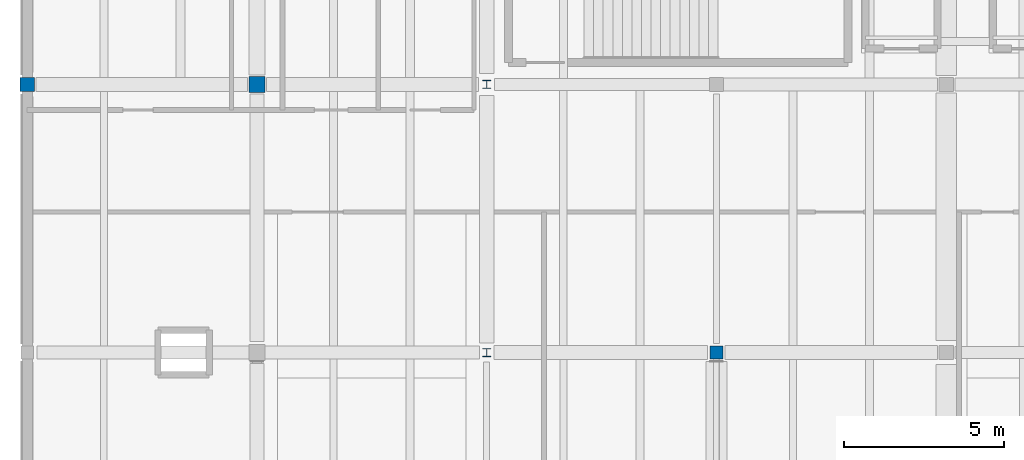
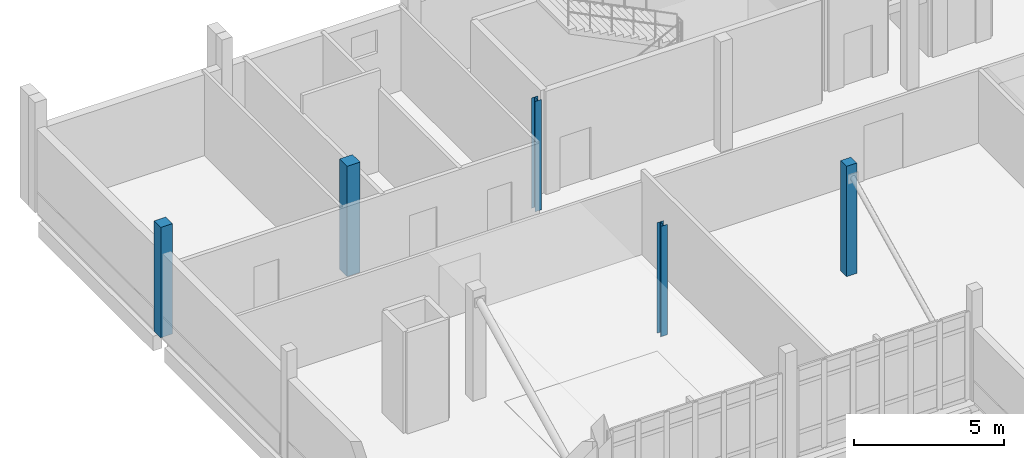
# One storey, part 2 of 34: 5 columns.
"""IFC4 building model written with IfcOpenShell, lengths in metres."""

import ifcopenshell
import ifcopenshell.guid

model = None  # the IFC model being written
_history = None  # IfcOwnerHistory: only IFC2X3 demands one
_inside = {}  # id of a spatial element -> (the spatial element, [elements in it])
_under = {}  # id of a project, library or spatial element -> (it, [spatial elements below it])
_declared = {}  # id of a project -> (the project, [libraries it declares])
_typed = {}  # id of a type object -> (the type object, [elements of that type])
_made_of = {}  # id of a material, layer set ... -> (it, [elements and type objects made of it])


def new_model(schema):
    """Start an empty IFC model of exactly this schema.

    Asked for "IFC4X3", IfcOpenShell would pick the latest addendum, in which some entities
    have other attributes; the version numbers below select the first issue.
    IFC2X3 requires an IfcOwnerHistory on every rooted entity: one is made here for all.
    """
    global model, _history
    if schema == "IFC4X3":
        model = ifcopenshell.file(schema_version=(4, 3, 0, 0))
    else:
        model = ifcopenshell.file(schema=schema)
    _inside.clear()
    _under.clear()
    _declared.clear()
    _typed.clear()
    _made_of.clear()
    _history = None
    if model.schema == "IFC2X3":
        org = make("IfcOrganization", Name="unknown")
        user = make(
            "IfcPersonAndOrganization",
            ThePerson=make("IfcPerson", FamilyName="unknown"),
            TheOrganization=org,
        )
        app = make(
            "IfcApplication",
            ApplicationDeveloper=org,
            Version="unknown",
            ApplicationFullName="unknown",
            ApplicationIdentifier="unknown",
        )
        _history = make(
            "IfcOwnerHistory",
            OwningUser=user,
            OwningApplication=app,
            ChangeAction="ADDED",
            CreationDate=0,
        )
    return model


def make(cls, **values):
    """One entity of the class cls with the attributes given. An attribute that is None is left unset."""
    return model.create_entity(
        cls, **{name: value for name, value in values.items() if value is not None}
    )


def rooted(cls, **values):
    """An entity with a GlobalId (a new one), such as an element, a storey or a relation."""
    return make(cls, GlobalId=ifcopenshell.guid.new(), OwnerHistory=_history, **values)


def si_unit(unit_type, name, prefix=None):
    """IfcSIUnit, for example si_unit("LENGTHUNIT", "METRE", prefix="MILLI")."""
    return make("IfcSIUnit", UnitType=unit_type, Prefix=prefix, Name=name)


def assignment(units):
    """IfcUnitAssignment: the units of a project."""
    return None if units is None else make("IfcUnitAssignment", Units=units)


def point(xyz):
    """IfcCartesianPoint."""
    return None if xyz is None else make("IfcCartesianPoint", Coordinates=xyz)


def direction(xyz):
    """IfcDirection."""
    return None if xyz is None else make("IfcDirection", DirectionRatios=xyz)


def frame(location, z_axis=None, x_axis=None):
    """IfcAxis2Placement3D, a coordinate frame: its origin and axes. An axis left out is left unset."""
    return make(
        "IfcAxis2Placement3D",
        Location=point(location),
        Axis=direction(z_axis),
        RefDirection=direction(x_axis),
    )


def frame_2d(location, x_axis=None):
    """IfcAxis2Placement2D, a coordinate frame in the plane: its origin and x axis."""
    return make(
        "IfcAxis2Placement2D", Location=point(location), RefDirection=direction(x_axis)
    )


def origin():
    """The frame at (0, 0, 0) with its axes left unset."""
    return frame((0.0, 0.0, 0.0))


def origin_2d():
    """The frame at (0, 0) in the plane with its x axis left unset."""
    return frame_2d((0.0, 0.0))


def place(relative_to, where):
    """IfcLocalPlacement: puts the frame where relative to a parent placement (None: the world)."""
    return make(
        "IfcLocalPlacement", PlacementRelTo=relative_to, RelativePlacement=where
    )


def context(
    kind, dimensions, precision=None, world=None, true_north=None, identifier=None
):
    """IfcGeometricRepresentationContext, for example the 3D "Model" context."""
    return make(
        "IfcGeometricRepresentationContext",
        ContextIdentifier=identifier,
        ContextType=kind,
        CoordinateSpaceDimension=dimensions,
        Precision=precision,
        WorldCoordinateSystem=world,
        TrueNorth=true_north,
    )


def subcontext(parent, identifier, kind, view, scale=None):
    """IfcGeometricRepresentationSubContext, for example "Body" below "Model"."""
    return make(
        "IfcGeometricRepresentationSubContext",
        ContextIdentifier=identifier,
        ContextType=kind,
        ParentContext=parent,
        TargetScale=scale,
        TargetView=view,
    )


def project(units=None, contexts=None):
    """IfcProject with its units and contexts."""
    return rooted(
        "IfcProject",
        Name="project",
        RepresentationContexts=contexts,
        UnitsInContext=assignment(units),
    )


def spatial(cls, under=None, at=None, **own):
    """A site, building, storey or space (cls), placed at a placement, below another one or the project."""
    s = rooted(cls, ObjectPlacement=at, **own)
    if under is not None:
        _under.setdefault(under.id(), (under, []))[1].append(s)
    return s


def profile(cls, at=None, kind="AREA", **sizes):
    """A parametric profile (cls). Its sizes go by their IFC names, for example OverallWidth=200.0."""
    return make(cls, ProfileType=kind, Position=at, **sizes)


def rectangle(**sizes):
    """IfcRectangleProfileDef."""
    return profile("IfcRectangleProfileDef", **sizes)


def i_section(**sizes):
    """IfcIShapeProfileDef."""
    return profile("IfcIShapeProfileDef", **sizes)


def extrude(swept, where, along, depth):
    """IfcExtrudedAreaSolid: the profile swept, set in the frame where, extruded along a direction by depth."""
    return make(
        "IfcExtrudedAreaSolid",
        SweptArea=swept,
        Position=where,
        ExtrudedDirection=direction(along),
        Depth=depth,
    )


def shape(context_of_items, identifier, shape_type, items):
    """IfcShapeRepresentation: the items that make up one representation, for example the "Body"."""
    return make(
        "IfcShapeRepresentation",
        ContextOfItems=context_of_items,
        RepresentationIdentifier=identifier,
        RepresentationType=shape_type,
        Items=items,
    )


def material(Name=None, Category=None):
    """IfcMaterial."""
    return make("IfcMaterial", Name=Name, Category=Category)


def material_profile(
    of_material, cross_section, Name=None, Category=None, Priority=None
):
    """IfcMaterialProfile: a cross section and its material."""
    return make(
        "IfcMaterialProfile",
        Name=Name,
        Material=of_material,
        Profile=cross_section,
        Priority=Priority,
        Category=Category,
    )


def profile_set(profiles, Name=None, composite=None):
    """IfcMaterialProfileSet."""
    return make(
        "IfcMaterialProfileSet",
        Name=Name,
        MaterialProfiles=profiles,
        CompositeProfile=composite,
    )


def made_of(thing, what):
    """Note that an element or type object is made of a material, layer set ...; save() writes the relation."""
    if what is not None:
        _made_of.setdefault(what.id(), (what, []))[1].append(thing)
    return thing


def type_object(cls, material=None, **own):
    """A type object (cls), such as IfcWallType, which elements share."""
    return made_of(rooted(cls, **own), material)


def element(
    cls,
    number,
    at=None,
    inside=None,
    cuts=None,
    type_object=None,
    material=None,
    context=None,
    identifier="Body",
    shape_type=None,
    held_by="IfcProductDefinitionShape",
    body=None,
    shapes=None,
    **own,
):
    """One element of the class cls, such as IfcWall. Its Tag is "e" and its number.

    at: its placement. inside: the storey or other place that contains it. cuts: it is an
    opening in that element (IfcRelVoidsElement). A single representation is given by context,
    identifier, shape_type and body (its items); several are given by shapes. held_by: the class
    of the entity that holds the representations. save() writes the other relations.
    """
    e = rooted(cls, Tag="e%d" % number, ObjectPlacement=at, **own)
    if body is not None:
        shapes = [shape(context, identifier, shape_type, body)]
    if shapes is not None:
        e.Representation = make(held_by, Representations=shapes)
    if inside is not None:
        _inside.setdefault(inside.id(), (inside, []))[1].append(e)
    if cuts is not None:
        rooted(
            "IfcRelVoidsElement", RelatingBuildingElement=cuts, RelatedOpeningElement=e
        )
    if type_object is not None:
        _typed.setdefault(type_object.id(), (type_object, []))[1].append(e)
    return made_of(e, material)


def aggregate(whole, parts):
    """IfcRelAggregates: a whole, such as a stair, and the parts it consists of."""
    return rooted("IfcRelAggregates", RelatingObject=whole, RelatedObjects=parts)


def save(model, path):
    """Write the relations noted so far, then the file.

    IfcRelAggregates (storeys below a building ...), IfcRelContainedInSpatialStructure (elements
    in a storey), IfcRelDefinesByType, IfcRelAssociatesMaterial and IfcRelDeclares: one each for
    every whole, place, type object, material and project.
    """
    for whole, parts in _under.values():
        aggregate(whole, parts)
    for where, things in _inside.values():
        rooted(
            "IfcRelContainedInSpatialStructure",
            RelatedElements=things,
            RelatingStructure=where,
        )
    for kind, things in _typed.values():
        rooted("IfcRelDefinesByType", RelatedObjects=things, RelatingType=kind)
    for what, things in _made_of.values():
        rooted("IfcRelAssociatesMaterial", RelatedObjects=things, RelatingMaterial=what)
    for by, libraries in _declared.values():
        rooted("IfcRelDeclares", RelatingContext=by, RelatedDefinitions=libraries)
    model.write(path)


model = new_model("IFC4")

# Units and contexts
model_context = context("Model", 3, precision=1e-05, world=origin(), true_north=direction((0.0, 1.0)))
body_context = subcontext(model_context, "Body", "Model", "MODEL_VIEW")
ifc_project = project(units=[si_unit("LENGTHUNIT", "METRE"), si_unit("AREAUNIT", "SQUARE_METRE"), si_unit("VOLUMEUNIT", "CUBIC_METRE"), si_unit("PLANEANGLEUNIT", "RADIAN"), si_unit("MASSUNIT", "GRAM", prefix="KILO")], contexts=[model_context])

# Site, building, storey
site_placement = place(None, origin())
site = spatial("IfcSite", under=ifc_project, at=site_placement, CompositionType="ELEMENT")
building_placement = place(site_placement, origin())
building = spatial("IfcBuilding", under=site, at=building_placement, Name="Kalluvel Institute of Natural Sciences", CompositionType="ELEMENT")
storey_placement = place(building_placement, frame((0.0, 0.0, 36.89990234375)))
storey = spatial("IfcBuildingStorey", under=building, at=storey_placement, Name="L08", CompositionType="ELEMENT", Elevation=36.89990234375)

# Columns
ifc_material_1 = material(Name="Steel E350 Grade 350", Category="steel")
ifc_material_profile_1 = material_profile(ifc_material_1, i_section(OverallWidth=0.25, OverallDepth=0.25, WebThickness=0.0087890625, FlangeThickness=0.009765625, FilletRadius=0.010009765625, at=origin_2d()), Name="ISHB 250")
ifc_profile_set_1 = profile_set([ifc_material_profile_1], Name="Steel E350 Grade 350")
column_type_1 = type_object("IfcColumnType", Name="COL-ISHB250", PredefinedType="COLUMN", material=ifc_profile_set_1)
for number, where, z_axis, x_axis, name in (
    (1, (28.39990234375, 111.199951171875, 0.0), (0.0, 0.0, 1.0), (1.0, 0.0, 0.0), "L08 structural column COL-L08-X284-Y1112"),
    (2, (28.39990234375, 119.60009765625, 0.0), (0.0, 0.0, 1.0), (1.0, 0.0, 0.0), "L08 structural column COL-L08-X284-Y1196"),
):
    element("IfcColumn", number, at=place(storey_placement, frame(where, z_axis=z_axis, x_axis=x_axis)), inside=storey, type_object=column_type_1, Name=name, PredefinedType="COLUMN", context=body_context, shape_type="SweptSolid", body=[
        extrude(i_section(OverallWidth=0.25, OverallDepth=0.25, WebThickness=0.0087890625, FlangeThickness=0.009765625, FilletRadius=0.010009765625, at=origin_2d()), origin(), (0.0, 0.0, 1.0), 4.5),
    ])
ifc_material_2 = material(Name="Concrete M40", Category="concrete")
ifc_material_profile_2 = material_profile(ifc_material_2, rectangle(XDim=0.39990234375, YDim=0.39990234375, at=origin_2d()), Name="RC 400x400")
ifc_profile_set_2 = profile_set([ifc_material_profile_2], Name="Concrete M40")
column_type_2 = type_object("IfcColumnType", Name="COL-RC400", PredefinedType="COLUMN", material=ifc_profile_set_2)
column_1_placement = place(storey_placement, frame((35.60009765625, 111.199951171875, 0.0), z_axis=(0.0, 0.0, 1.0), x_axis=(1.0, 0.0, 0.0)))
element("IfcColumn", 3, at=column_1_placement, inside=storey, type_object=column_type_2, Name="L08 structural column COL-L08-X356-Y1112", PredefinedType="COLUMN", context=body_context, shape_type="SweptSolid", body=[
    extrude(rectangle(XDim=0.39990234375, YDim=0.39990234375, at=origin_2d()), origin(), (0.0, 0.0, 1.0), 4.5),
])
ifc_material_profile_3 = material_profile(ifc_material_2, rectangle(XDim=0.449951171875, YDim=0.449951171875, at=origin_2d()), Name="RC 450x450")
ifc_profile_set_3 = profile_set([ifc_material_profile_3], Name="Concrete M40")
column_type_3 = type_object("IfcColumnType", Name="COL-RC450", PredefinedType="COLUMN", material=ifc_profile_set_3)
column_2_placement = place(storey_placement, frame((14.0, 119.60009765625, 0.0), z_axis=(0.0, 0.0, 1.0), x_axis=(1.0, 0.0, 0.0)))
element("IfcColumn", 4, at=column_2_placement, inside=storey, type_object=column_type_3, Name="L08 structural column COL-L08-X140-Y1196", PredefinedType="COLUMN", context=body_context, shape_type="SweptSolid", body=[
    extrude(rectangle(XDim=0.449951171875, YDim=0.449951171875, at=origin_2d()), origin(), (0.0, 0.0, 1.0), 4.5),
])
ifc_material_profile_4 = material_profile(ifc_material_2, rectangle(XDim=0.5, YDim=0.5, at=origin_2d()), Name="RC 500x500")
ifc_profile_set_4 = profile_set([ifc_material_profile_4], Name="Concrete M40")
column_type_4 = type_object("IfcColumnType", Name="COL-RC500", PredefinedType="COLUMN", material=ifc_profile_set_4)
column_3_placement = place(storey_placement, frame((21.199951171875, 119.60009765625, 0.0), z_axis=(0.0, 0.0, 1.0), x_axis=(1.0, 0.0, 0.0)))
element("IfcColumn", 5, at=column_3_placement, inside=storey, type_object=column_type_4, Name="L08 structural column COL-L08-X212-Y1196", PredefinedType="COLUMN", context=body_context, shape_type="SweptSolid", body=[
    extrude(rectangle(XDim=0.5, YDim=0.5, at=origin_2d()), origin(), (0.0, 0.0, 1.0), 4.5),
])

save(model, "model.ifc")
